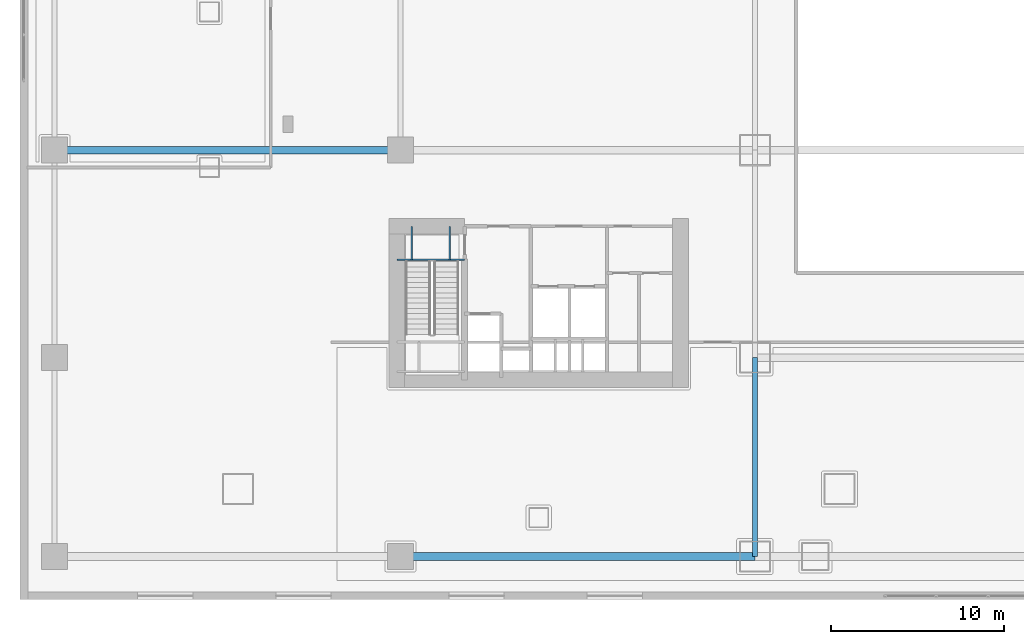
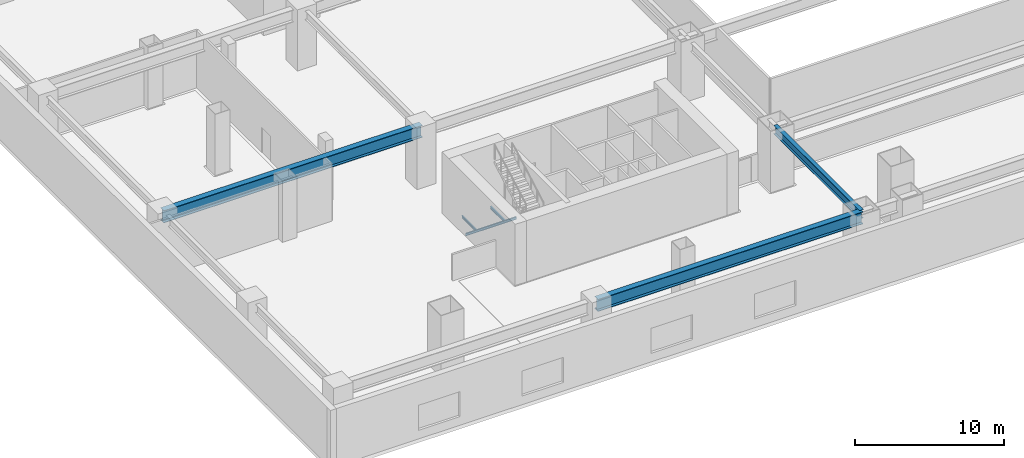
# One storey, part 5 of 35: 6 beams.
"""IFC4 building model written with IfcOpenShell, lengths in metres."""

from ifc_helpers import new_model, si_unit, direction, frame, origin, origin_2d, place, context, subcontext, project, spatial, i_section, extrude, material, material_profile, profile_set, type_object, element, save


model = new_model("IFC4")

# Units and contexts
model_context = context("Model", 3, precision=1e-05, world=origin(), true_north=direction((0.0, 1.0)))
body_context = subcontext(model_context, "Body", "Model", "MODEL_VIEW")
ifc_project = project(units=[si_unit("LENGTHUNIT", "METRE"), si_unit("AREAUNIT", "SQUARE_METRE"), si_unit("VOLUMEUNIT", "CUBIC_METRE"), si_unit("PLANEANGLEUNIT", "RADIAN"), si_unit("MASSUNIT", "GRAM", prefix="KILO")], contexts=[model_context])

# Site, building, storey
site_placement = place(None, origin())
site = spatial("IfcSite", under=ifc_project, at=site_placement, CompositionType="ELEMENT")
building_placement = place(site_placement, origin())
building = spatial("IfcBuilding", under=site, at=building_placement, Name="Qiaolan Cultural Towers", CompositionType="ELEMENT")
storey_placement = place(building_placement, frame((0.0, 0.0, 11.5)))
storey = spatial("IfcBuildingStorey", under=building, at=storey_placement, Name="L02", CompositionType="ELEMENT", Elevation=11.5)

# Beams
ifc_material_1 = material(Name="Steel Q390GJB", Category="steel")
ifc_material_profile_1 = material_profile(ifc_material_1, i_section(OverallWidth=0.449951171875, OverallDepth=1.0, WebThickness=0.02392578125, FlangeThickness=0.0400390625, at=origin_2d()), Name="BH1000x450x24x40")
ifc_profile_set_1 = profile_set([ifc_material_profile_1], Name="Steel Q390GJB")
beam_type_1 = type_object("IfcBeamType", Name="BM-BH1000x450x24x40", PredefinedType="BEAM", material=ifc_profile_set_1)
beam_1_placement = place(storey_placement, frame((22.0, 2.5, 4.199951171875), z_axis=(1.0, 0.0, 0.0), x_axis=(0.0, 1.0, 0.0)))
element("IfcBeam", 1, at=beam_1_placement, inside=storey, type_object=beam_type_1, Name="L02 Podium Primary Girder Y=2.5", PredefinedType="BEAM", context=body_context, shape_type="SweptSolid", body=[
    extrude(i_section(OverallWidth=0.449951171875, OverallDepth=1.0, WebThickness=0.02392578125, FlangeThickness=0.0400390625, at=origin_2d()), origin(), (0.0, 0.0, 1.0), 20.5),
])
beam_2_placement = place(storey_placement, frame((2.0, 26.0, 4.199951171875), z_axis=(1.0, 0.0, 0.0), x_axis=(0.0, 1.0, 0.0)))
element("IfcBeam", 2, at=beam_2_placement, inside=storey, type_object=beam_type_1, Name="L02 Podium Primary Girder Y=26.0", PredefinedType="BEAM", context=body_context, shape_type="SweptSolid", body=[
    extrude(i_section(OverallWidth=0.449951171875, OverallDepth=1.0, WebThickness=0.02392578125, FlangeThickness=0.0400390625, at=origin_2d()), origin(), (0.0, 0.0, 1.0), 20.0),
])
ifc_material_2 = material(Name="Steel Q355B", Category="steel")
ifc_material_profile_2 = material_profile(ifc_material_2, i_section(OverallWidth=0.300048828125, OverallDepth=0.699951171875, WebThickness=0.012939453125, FlangeThickness=0.02392578125, at=origin_2d()), Name="HN700x300x13x24")
ifc_profile_set_2 = profile_set([ifc_material_profile_2], Name="Steel Q355B")
beam_type_2 = type_object("IfcBeamType", Name="BM-HN700x300x13x24", PredefinedType="BEAM", material=ifc_profile_set_2)
beam_3_placement = place(storey_placement, frame((42.5, 2.5, 4.35009765625), z_axis=(0.0, 1.0, 0.0), x_axis=(-1.0, 0.0, 0.0)))
element("IfcBeam", 3, at=beam_3_placement, inside=storey, type_object=beam_type_2, Name="L02 Podium Transverse Beam X=42.5", PredefinedType="BEAM", context=body_context, shape_type="SweptSolid", body=[
    extrude(i_section(OverallWidth=0.300048828125, OverallDepth=0.699951171875, WebThickness=0.012939453125, FlangeThickness=0.02392578125, at=origin_2d()), origin(), (0.0, 0.0, 1.0), 11.5),
])
ifc_material_3 = material(Name="Steel Q355B", Category="steel")
ifc_material_profile_3 = material_profile(ifc_material_3, i_section(OverallWidth=0.10009765625, OverallDepth=0.199951171875, WebThickness=0.005615234375, FlangeThickness=0.008056640625, at=origin_2d()), Name="HN200x100x5.5x8")
ifc_profile_set_3 = profile_set([ifc_material_profile_3], Name="Steel Q355B")
beam_type_3 = type_object("IfcBeamType", Name="BM-STTRIM-200", PredefinedType="BEAM", material=ifc_profile_set_3)
beam_4_placement = place(storey_placement, frame((21.800048828125, 19.659912109375, -0.4599609375), z_axis=(1.0, 0.0, 0.0), x_axis=(0.0, 1.0, 0.0)))
element("IfcBeam", 4, at=beam_4_placement, inside=storey, type_object=beam_type_3, Name="L02 ST-W1 Floor Landing Header Beam", PredefinedType="BEAM", context=body_context, shape_type="SweptSolid", body=[
    extrude(i_section(OverallWidth=0.10009765625, OverallDepth=0.199951171875, WebThickness=0.005615234375, FlangeThickness=0.008056640625, at=origin_2d()), origin(), (0.0, 0.0, 1.0), 3.919921875),
])
for number, where, z_axis, x_axis, name in (
    (5, (22.64990234375, 21.60009765625, -0.4599609375), (0.0, -1.0, 0.0), (1.0, 0.0, 0.0), "L02 ST-W1 Floor Landing Stringer 1"),
    (6, (24.85009765625, 21.60009765625, -0.4599609375), (0.0, -1.0, 0.0), (1.0, 0.0, 0.0), "L02 ST-W1 Floor Landing Stringer 2"),
):
    element("IfcBeam", number, at=place(storey_placement, frame(where, z_axis=z_axis, x_axis=x_axis)), inside=storey, type_object=beam_type_3, Name=name, PredefinedType="BEAM", context=body_context, shape_type="SweptSolid", body=[
        extrude(i_section(OverallWidth=0.10009765625, OverallDepth=0.199951171875, WebThickness=0.005615234375, FlangeThickness=0.008056640625, at=origin_2d()), origin(), (0.0, 0.0, 1.0), 1.940185546875),
    ])

save(model, "model.ifc")
